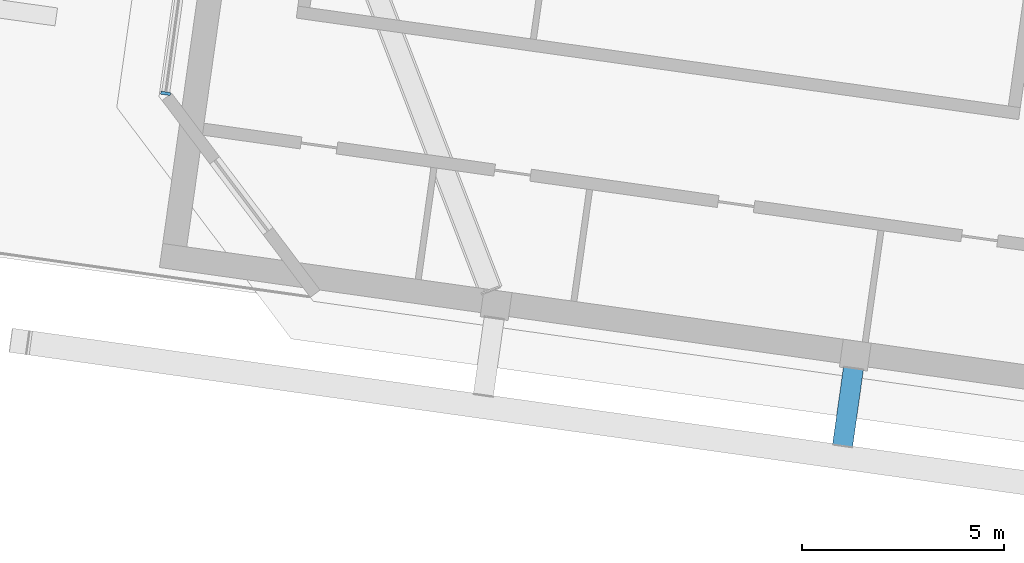
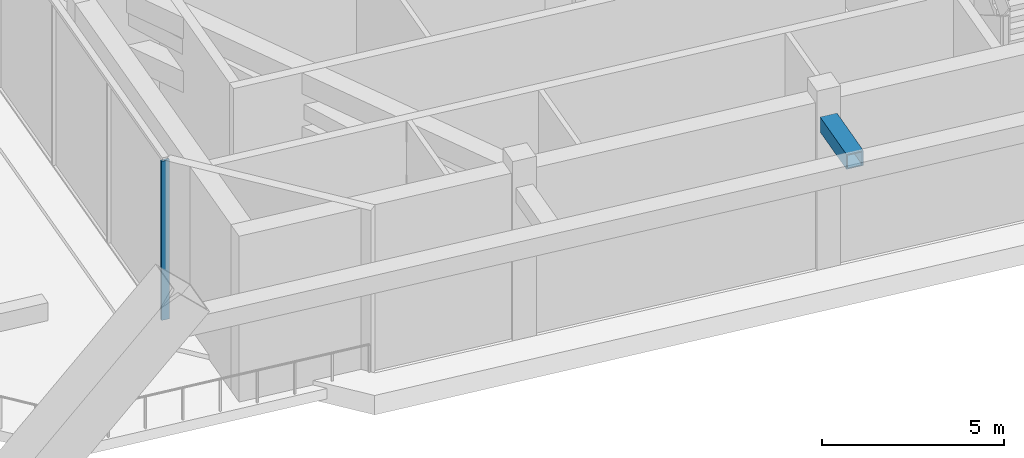
# One storey, part 2 of 29: 2 members, 1 element without a shape of its own.
"""IFC4 building model written with IfcOpenShell, lengths in metres."""

from ifc_helpers import new_model, si_unit, direction, frame, origin, origin_2d, place, context, subcontext, project, spatial, rectangle, hollow_rectangle, extrude, material, material_profile, profile_set, type_object, element, aggregate, save


model = new_model("IFC4")

# Units and contexts
model_context = context("Model", 3, precision=1e-05, world=origin(), true_north=direction((0.0, 1.0)))
body_context = subcontext(model_context, "Body", "Model", "MODEL_VIEW")
ifc_project = project(units=[si_unit("LENGTHUNIT", "METRE"), si_unit("AREAUNIT", "SQUARE_METRE"), si_unit("VOLUMEUNIT", "CUBIC_METRE"), si_unit("PLANEANGLEUNIT", "RADIAN"), si_unit("MASSUNIT", "GRAM", prefix="KILO")], contexts=[model_context])

# Site, building, storey
site_placement = place(None, origin())
site = spatial("IfcSite", under=ifc_project, at=site_placement, CompositionType="ELEMENT")
building_placement = place(site_placement, origin())
building = spatial("IfcBuilding", under=site, at=building_placement, Name="Mirante Cascada Hotel Towers", CompositionType="ELEMENT")
storey_placement = place(building_placement, frame((0.0, 0.0, 210.6)))
storey = spatial("IfcBuildingStorey", under=building, at=storey_placement, Name="L50", CompositionType="ELEMENT", Elevation=210.6)

# Member
ifc_material_1 = material(Name="Steel ASTM A572 Gr 50", Category="steel")
ifc_material_profile_1 = material_profile(ifc_material_1, hollow_rectangle(XDim=0.5, YDim=0.5, WallThickness=0.035, at=origin_2d()), Name="Box tie 500x500x35 ASTM A572 Gr 50")
ifc_profile_set_1 = profile_set([ifc_material_profile_1], Name="Steel ASTM A572 Gr 50")
member_type_1 = type_object("IfcMemberType", Name="Box tie 500x500x35 ASTM A572 Gr 50", PredefinedType="STRUT", material=ifc_profile_set_1)
member_1_placement = place(storey_placement, frame((-59.3509, -16.8396, 4.85), z_axis=(-0.1391766, -0.9902676, 0.0), x_axis=(0.9902676, -0.1391766, 0.0)))
element("IfcMember", 1, at=member_1_placement, inside=storey, type_object=member_type_1, Name="tie T1 L50 6", PredefinedType="STRUT", context=body_context, shape_type="SweptSolid", body=[
    extrude(hollow_rectangle(XDim=0.5, YDim=0.5, WallThickness=0.035, at=origin_2d()), origin(), (0.0, 0.0, 1.0), 1.94),
])

# Curtain wall, member
ifc_material_2 = material(Name="Aluminium mullion and transom frame with clear laminated glass", Category="aluminium")
curtain_wall_type = type_object("IfcCurtainWallType", Name="Sky garden curtain wall ECW4", PredefinedType="NOTDEFINED", material=ifc_material_2)
curtain_wall_placement = place(storey_placement, origin())
curtain_wall = element("IfcCurtainWall", 2, at=curtain_wall_placement, inside=storey, type_object=curtain_wall_type, Name="Sky garden wall T1 L50 run 1", PredefinedType="NOTDEFINED")
ifc_material_3 = material(Name="Anodised aluminium extrusion", Category="aluminium")
ifc_material_profile_2 = material_profile(ifc_material_3, rectangle(XDim=0.24, YDim=0.075, at=origin_2d()), Name="ECW4 MULLION 75x240")
ifc_profile_set_2 = profile_set([ifc_material_profile_2], Name="Anodised aluminium extrusion")
member_type_2 = type_object("IfcMemberType", Name="ECW4 mullion 75x240", PredefinedType="MULLION", material=ifc_profile_set_2)
member_2_placement = place(storey_placement, frame((-76.4177, -10.0183, 0.11), z_axis=(0.0, 0.0, 1.0), x_axis=(-0.9902681, 0.1391731, 0.0)))
member_2 = element("IfcMember", 3, at=member_2_placement, type_object=member_type_2, Name="ECW4 mullion 1", PredefinedType="MULLION", context=body_context, shape_type="SweptSolid", body=[
    extrude(rectangle(XDim=0.24, YDim=0.075, at=origin_2d()), origin(), (0.0, 0.0, 1.0), 5.33),
])
aggregate(curtain_wall, [member_2])

save(model, "model.ifc")
